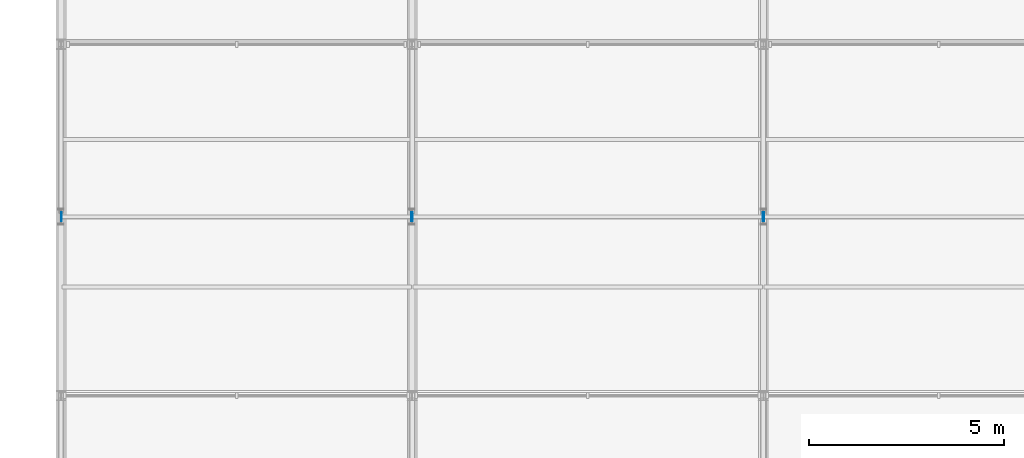
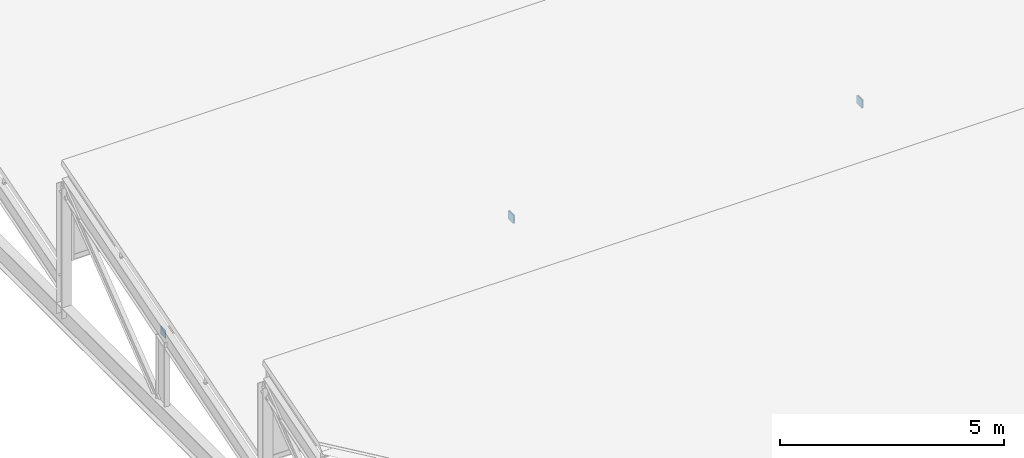
# One storey, part 124 of 163: 5 plates.
"""IFC4 building model written with IfcOpenShell, lengths in metres."""

import ifcopenshell
import ifcopenshell.guid

model = None  # the IFC model being written
_history = None  # IfcOwnerHistory: only IFC2X3 demands one
_inside = {}  # id of a spatial element -> (the spatial element, [elements in it])
_under = {}  # id of a project, library or spatial element -> (it, [spatial elements below it])
_declared = {}  # id of a project -> (the project, [libraries it declares])
_typed = {}  # id of a type object -> (the type object, [elements of that type])
_made_of = {}  # id of a material, layer set ... -> (it, [elements and type objects made of it])


def new_model(schema):
    """Start an empty IFC model of exactly this schema.

    Asked for "IFC4X3", IfcOpenShell would pick the latest addendum, in which some entities
    have other attributes; the version numbers below select the first issue.
    IFC2X3 requires an IfcOwnerHistory on every rooted entity: one is made here for all.
    """
    global model, _history
    if schema == "IFC4X3":
        model = ifcopenshell.file(schema_version=(4, 3, 0, 0))
    else:
        model = ifcopenshell.file(schema=schema)
    _inside.clear()
    _under.clear()
    _declared.clear()
    _typed.clear()
    _made_of.clear()
    _history = None
    if model.schema == "IFC2X3":
        org = make("IfcOrganization", Name="unknown")
        user = make(
            "IfcPersonAndOrganization",
            ThePerson=make("IfcPerson", FamilyName="unknown"),
            TheOrganization=org,
        )
        app = make(
            "IfcApplication",
            ApplicationDeveloper=org,
            Version="unknown",
            ApplicationFullName="unknown",
            ApplicationIdentifier="unknown",
        )
        _history = make(
            "IfcOwnerHistory",
            OwningUser=user,
            OwningApplication=app,
            ChangeAction="ADDED",
            CreationDate=0,
        )
    return model


def make(cls, **values):
    """One entity of the class cls with the attributes given. An attribute that is None is left unset."""
    return model.create_entity(
        cls, **{name: value for name, value in values.items() if value is not None}
    )


def rooted(cls, **values):
    """An entity with a GlobalId (a new one), such as an element, a storey or a relation."""
    return make(cls, GlobalId=ifcopenshell.guid.new(), OwnerHistory=_history, **values)


def si_unit(unit_type, name, prefix=None):
    """IfcSIUnit, for example si_unit("LENGTHUNIT", "METRE", prefix="MILLI")."""
    return make("IfcSIUnit", UnitType=unit_type, Prefix=prefix, Name=name)


def assignment(units):
    """IfcUnitAssignment: the units of a project."""
    return None if units is None else make("IfcUnitAssignment", Units=units)


def point(xyz):
    """IfcCartesianPoint."""
    return None if xyz is None else make("IfcCartesianPoint", Coordinates=xyz)


def direction(xyz):
    """IfcDirection."""
    return None if xyz is None else make("IfcDirection", DirectionRatios=xyz)


def frame(location, z_axis=None, x_axis=None):
    """IfcAxis2Placement3D, a coordinate frame: its origin and axes. An axis left out is left unset."""
    return make(
        "IfcAxis2Placement3D",
        Location=point(location),
        Axis=direction(z_axis),
        RefDirection=direction(x_axis),
    )


def frame_2d(location, x_axis=None):
    """IfcAxis2Placement2D, a coordinate frame in the plane: its origin and x axis."""
    return make(
        "IfcAxis2Placement2D", Location=point(location), RefDirection=direction(x_axis)
    )


def origin():
    """The frame at (0, 0, 0) with its axes left unset."""
    return frame((0.0, 0.0, 0.0))


def origin_2d():
    """The frame at (0, 0) in the plane with its x axis left unset."""
    return frame_2d((0.0, 0.0))


def place(relative_to, where):
    """IfcLocalPlacement: puts the frame where relative to a parent placement (None: the world)."""
    return make(
        "IfcLocalPlacement", PlacementRelTo=relative_to, RelativePlacement=where
    )


def context(
    kind, dimensions, precision=None, world=None, true_north=None, identifier=None
):
    """IfcGeometricRepresentationContext, for example the 3D "Model" context."""
    return make(
        "IfcGeometricRepresentationContext",
        ContextIdentifier=identifier,
        ContextType=kind,
        CoordinateSpaceDimension=dimensions,
        Precision=precision,
        WorldCoordinateSystem=world,
        TrueNorth=true_north,
    )


def subcontext(parent, identifier, kind, view, scale=None):
    """IfcGeometricRepresentationSubContext, for example "Body" below "Model"."""
    return make(
        "IfcGeometricRepresentationSubContext",
        ContextIdentifier=identifier,
        ContextType=kind,
        ParentContext=parent,
        TargetScale=scale,
        TargetView=view,
    )


def project(units=None, contexts=None):
    """IfcProject with its units and contexts."""
    return rooted(
        "IfcProject",
        Name="project",
        RepresentationContexts=contexts,
        UnitsInContext=assignment(units),
    )


def spatial(cls, under=None, at=None, **own):
    """A site, building, storey or space (cls), placed at a placement, below another one or the project."""
    s = rooted(cls, ObjectPlacement=at, **own)
    if under is not None:
        _under.setdefault(under.id(), (under, []))[1].append(s)
    return s


def profile(cls, at=None, kind="AREA", **sizes):
    """A parametric profile (cls). Its sizes go by their IFC names, for example OverallWidth=200.0."""
    return make(cls, ProfileType=kind, Position=at, **sizes)


def rectangle(**sizes):
    """IfcRectangleProfileDef."""
    return profile("IfcRectangleProfileDef", **sizes)


def extrude(swept, where, along, depth):
    """IfcExtrudedAreaSolid: the profile swept, set in the frame where, extruded along a direction by depth."""
    return make(
        "IfcExtrudedAreaSolid",
        SweptArea=swept,
        Position=where,
        ExtrudedDirection=direction(along),
        Depth=depth,
    )


def shape(context_of_items, identifier, shape_type, items):
    """IfcShapeRepresentation: the items that make up one representation, for example the "Body"."""
    return make(
        "IfcShapeRepresentation",
        ContextOfItems=context_of_items,
        RepresentationIdentifier=identifier,
        RepresentationType=shape_type,
        Items=items,
    )


def material(Name=None, Category=None):
    """IfcMaterial."""
    return make("IfcMaterial", Name=Name, Category=Category)


def layer(
    of_material, thickness, ventilated=None, Name=None, Category=None, Priority=None
):
    """IfcMaterialLayer: one layer of a wall or slab, of a material (None: an air gap)."""
    return make(
        "IfcMaterialLayer",
        Material=of_material,
        LayerThickness=thickness,
        IsVentilated=ventilated,
        Name=Name,
        Category=Category,
        Priority=Priority,
    )


def layer_set(layers, Name=None):
    """IfcMaterialLayerSet."""
    return make("IfcMaterialLayerSet", MaterialLayers=layers, LayerSetName=Name)


def made_of(thing, what):
    """Note that an element or type object is made of a material, layer set ...; save() writes the relation."""
    if what is not None:
        _made_of.setdefault(what.id(), (what, []))[1].append(thing)
    return thing


def type_object(cls, material=None, **own):
    """A type object (cls), such as IfcWallType, which elements share."""
    return made_of(rooted(cls, **own), material)


def element(
    cls,
    number,
    at=None,
    inside=None,
    cuts=None,
    type_object=None,
    material=None,
    context=None,
    identifier="Body",
    shape_type=None,
    held_by="IfcProductDefinitionShape",
    body=None,
    shapes=None,
    **own,
):
    """One element of the class cls, such as IfcWall. Its Tag is "e" and its number.

    at: its placement. inside: the storey or other place that contains it. cuts: it is an
    opening in that element (IfcRelVoidsElement). A single representation is given by context,
    identifier, shape_type and body (its items); several are given by shapes. held_by: the class
    of the entity that holds the representations. save() writes the other relations.
    """
    e = rooted(cls, Tag="e%d" % number, ObjectPlacement=at, **own)
    if body is not None:
        shapes = [shape(context, identifier, shape_type, body)]
    if shapes is not None:
        e.Representation = make(held_by, Representations=shapes)
    if inside is not None:
        _inside.setdefault(inside.id(), (inside, []))[1].append(e)
    if cuts is not None:
        rooted(
            "IfcRelVoidsElement", RelatingBuildingElement=cuts, RelatedOpeningElement=e
        )
    if type_object is not None:
        _typed.setdefault(type_object.id(), (type_object, []))[1].append(e)
    return made_of(e, material)


def aggregate(whole, parts):
    """IfcRelAggregates: a whole, such as a stair, and the parts it consists of."""
    return rooted("IfcRelAggregates", RelatingObject=whole, RelatedObjects=parts)


def save(model, path):
    """Write the relations noted so far, then the file.

    IfcRelAggregates (storeys below a building ...), IfcRelContainedInSpatialStructure (elements
    in a storey), IfcRelDefinesByType, IfcRelAssociatesMaterial and IfcRelDeclares: one each for
    every whole, place, type object, material and project.
    """
    for whole, parts in _under.values():
        aggregate(whole, parts)
    for where, things in _inside.values():
        rooted(
            "IfcRelContainedInSpatialStructure",
            RelatedElements=things,
            RelatingStructure=where,
        )
    for kind, things in _typed.values():
        rooted("IfcRelDefinesByType", RelatedObjects=things, RelatingType=kind)
    for what, things in _made_of.values():
        rooted("IfcRelAssociatesMaterial", RelatedObjects=things, RelatingMaterial=what)
    for by, libraries in _declared.values():
        rooted("IfcRelDeclares", RelatingContext=by, RelatedDefinitions=libraries)
    model.write(path)


model = new_model("IFC4")

# Units and contexts
model_context = context("Model", 3, precision=1e-05, world=origin(), true_north=direction((0.0, 1.0)))
body_context = subcontext(model_context, "Body", "Model", "MODEL_VIEW")
ifc_project = project(units=[si_unit("LENGTHUNIT", "METRE"), si_unit("AREAUNIT", "SQUARE_METRE"), si_unit("VOLUMEUNIT", "CUBIC_METRE"), si_unit("PLANEANGLEUNIT", "RADIAN"), si_unit("MASSUNIT", "GRAM", prefix="KILO")], contexts=[model_context])

# Site, building, storey
site_placement = place(None, origin())
site = spatial("IfcSite", under=ifc_project, at=site_placement, CompositionType="ELEMENT")
building_placement = place(site_placement, origin())
building = spatial("IfcBuilding", under=site, at=building_placement, Name="Tharagai Park Tramway Depot", CompositionType="ELEMENT")
storey_placement = place(building_placement, frame((0.0, 0.0, 8.39990234375)))
storey = spatial("IfcBuildingStorey", under=building, at=storey_placement, Name="L02", CompositionType="ELEMENT", Elevation=8.39990234375)

# Plates
ifc_material = material(Name="Steel E350", Category="steel")
ifc_layer = layer(ifc_material, 0.011962890625)
ifc_layer_set = layer_set([ifc_layer], Name="Steel E350")
plate_type = type_object("IfcPlateType", Name="GP-04", PredefinedType="SHEET", material=ifc_layer_set)
for number, where, z_axis, x_axis, name in (
    (1, (0.013916015625, 103.5, 1.83154296875), (0.0, 0.0, 1.0), (1.0, 0.0, 0.0), "Tube End Cap Plate GP-04"),
    (2, (8.986083984375, 103.5, 1.83154296875), (0.0, 0.0, 1.0), (1.0, 0.0, 0.0), "Tube End Cap Plate GP-04"),
    (3, (9.013916015625, 103.5, 1.83154296875), (0.0, 0.0, 1.0), (1.0, 0.0, 0.0), "Tube End Cap Plate GP-04"),
    (4, (17.986083984375, 103.5, 1.83154296875), (0.0, 0.0, 1.0), (1.0, 0.0, 0.0), "Tube End Cap Plate GP-04"),
    (5, (18.013916015625, 103.5, 1.83154296875), (0.0, 0.0, 1.0), (1.0, 0.0, 0.0), "Tube End Cap Plate GP-04"),
):
    element("IfcPlate", number, at=place(storey_placement, frame(where, z_axis=z_axis, x_axis=x_axis)), inside=storey, type_object=plate_type, Name=name, PredefinedType="SHEET", context=body_context, shape_type="SweptSolid", body=[
        extrude(rectangle(XDim=0.011962890625, YDim=0.22998046875, at=origin_2d()), origin(), (0.0, 0.0, 1.0), 0.22998046875),
    ])

save(model, "model.ifc")
